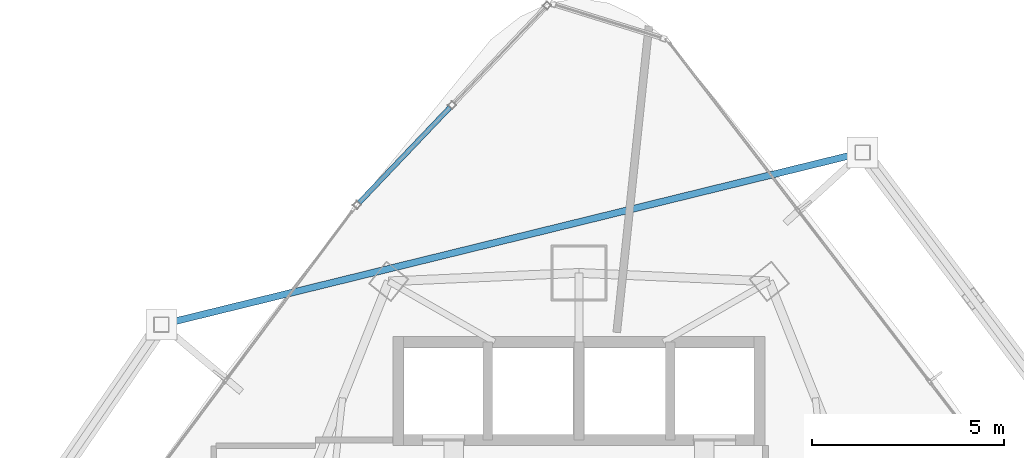
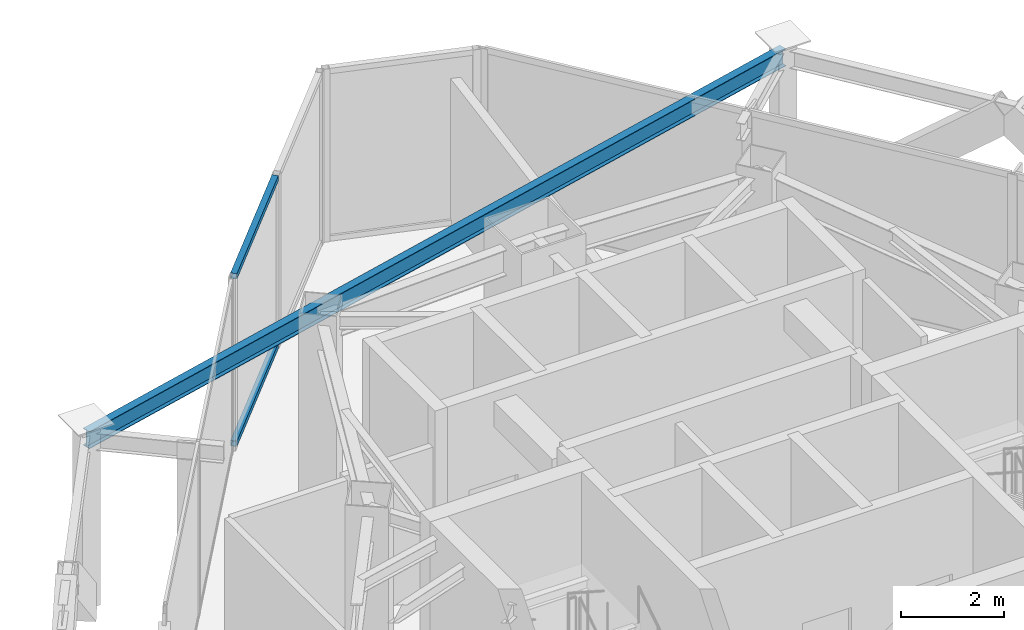
# One storey, part 20 of 28: 2 members, 1 beam, 1 element without a shape of its own.
"""IFC4 building model written with IfcOpenShell, lengths in metres."""

from ifc_helpers import new_model, si_unit, direction, frame, origin, origin_2d, place, context, subcontext, project, spatial, hollow_rectangle, i_section, extrude, material, layer, layer_set, material_profile, profile_set, type_object, element, aggregate, save


model = new_model("IFC4")

# Units and contexts
model_context = context("Model", 3, precision=1e-05, world=origin(), true_north=direction((0.0, 1.0)))
body_context = subcontext(model_context, "Body", "Model", "MODEL_VIEW")
ifc_project = project(units=[si_unit("LENGTHUNIT", "METRE"), si_unit("AREAUNIT", "SQUARE_METRE"), si_unit("VOLUMEUNIT", "CUBIC_METRE"), si_unit("PLANEANGLEUNIT", "RADIAN"), si_unit("MASSUNIT", "GRAM", prefix="KILO")], contexts=[model_context])

# Site, building, storey
site_placement = place(None, origin())
site = spatial("IfcSite", under=ifc_project, at=site_placement, CompositionType="ELEMENT")
building_placement = place(site_placement, origin())
building = spatial("IfcBuilding", under=site, at=building_placement, Name="Orvanel Arch Residences", CompositionType="ELEMENT")
storey_placement = place(building_placement, frame((0.0, 0.0, 146.300048828125)))
storey = spatial("IfcBuildingStorey", under=building, at=storey_placement, Name="L41", CompositionType="ELEMENT", Elevation=146.300048828125)

# Beam
ifc_material_1 = material(Name="Structural steel AS/NZS 3679.1 Grade 300 (300 MPa)", Category="steel")
ifc_material_profile_1 = material_profile(ifc_material_1, i_section(OverallWidth=0.177978515625, OverallDepth=0.406005859375, WebThickness=0.0078125, FlangeThickness=0.0126953125, at=origin_2d()), Name="410UB59.7")
ifc_profile_set_1 = profile_set([ifc_material_profile_1], Name="Structural steel AS/NZS 3679.1 Grade 300 (300 MPa)")
beam_type = type_object("IfcBeamType", Name="OB-410UB-EXT", PredefinedType="SPANDREL", material=ifc_profile_set_1)
beam_placement = place(storey_placement, frame((40.3798828125, 44.531982421875, 3.906982421875), z_axis=(-0.971148462561, -0.238475708753, 0.0), x_axis=(0.238475708753, -0.971148462561, 0.0)))
element("IfcBeam", 1, at=beam_placement, inside=storey, type_object=beam_type, Name="L41 Outer Perimeter Floor Ring Beam 12", PredefinedType="SPANDREL", context=body_context, shape_type="SweptSolid", body=[
    extrude(i_section(OverallWidth=0.177978515625, OverallDepth=0.406005859375, WebThickness=0.0078125, FlangeThickness=0.0126953125, at=origin_2d()), origin(), (0.0, 0.0, 1.0), 18.785888671875),
])

# Curtain wall, members
ifc_material_2 = material(Name="Bronze-anodised aluminium AA6063-T6", Category="aluminium")
ifc_layer = layer(ifc_material_2, 0.18994140625)
ifc_layer_set = layer_set([ifc_layer], Name="Bronze-anodised aluminium AA6063-T6")
curtain_wall_type = type_object("IfcCurtainWallType", Name="CW5-CRN-SYS", PredefinedType="NOTDEFINED", material=ifc_layer_set)
curtain_wall_placement = place(storey_placement, origin())
curtain_wall = element("IfcCurtainWall", 2, at=curtain_wall_placement, inside=storey, type_object=curtain_wall_type, Name="L41 CW5-CRN-SYS Unitised Curtain Wall", PredefinedType="NOTDEFINED")
ifc_material_profile_2 = material_profile(ifc_material_2, hollow_rectangle(XDim=0.1298828125, YDim=0.1298828125, WallThickness=0.00439453125, at=origin_2d()), Name="ALU130x130x4.5")
ifc_profile_set_2 = profile_set([ifc_material_profile_2], Name="Bronze-anodised aluminium AA6063-T6")
member_type = type_object("IfcMemberType", Name="TRN-130x130", PredefinedType="USERDEFINED", material=ifc_profile_set_2)
member_1_placement = place(storey_placement, frame((29.646728515625, 45.705322265625, 0.06494140625), z_axis=(-0.689903770113, -0.723901089918, 0.0), x_axis=(0.723901089918, -0.689903770113, 0.0)))
member_1 = element("IfcMember", 3, at=member_1_placement, type_object=member_type, Name="CW-S5 transom 2.1", ObjectType="TRANSOM", PredefinedType="USERDEFINED", context=body_context, shape_type="SweptSolid", body=[
    extrude(hollow_rectangle(XDim=0.1298828125, YDim=0.1298828125, WallThickness=0.00439453125, at=origin_2d()), origin(), (0.0, 0.0, 1.0), 3.4326171875),
])
member_2_placement = place(storey_placement, frame((29.646728515625, 45.705322265625, 4.044921875), z_axis=(-0.689903770113, -0.723901089918, 0.0), x_axis=(0.723901089918, -0.689903770113, 0.0)))
member_2 = element("IfcMember", 4, at=member_2_placement, type_object=member_type, Name="CW-S5 transom 2.2", ObjectType="TRANSOM", PredefinedType="USERDEFINED", context=body_context, shape_type="SweptSolid", body=[
    extrude(hollow_rectangle(XDim=0.1298828125, YDim=0.1298828125, WallThickness=0.00439453125, at=origin_2d()), origin(), (0.0, 0.0, 1.0), 3.4326171875),
])
aggregate(curtain_wall, [member_1, member_2])

save(model, "model.ifc")
